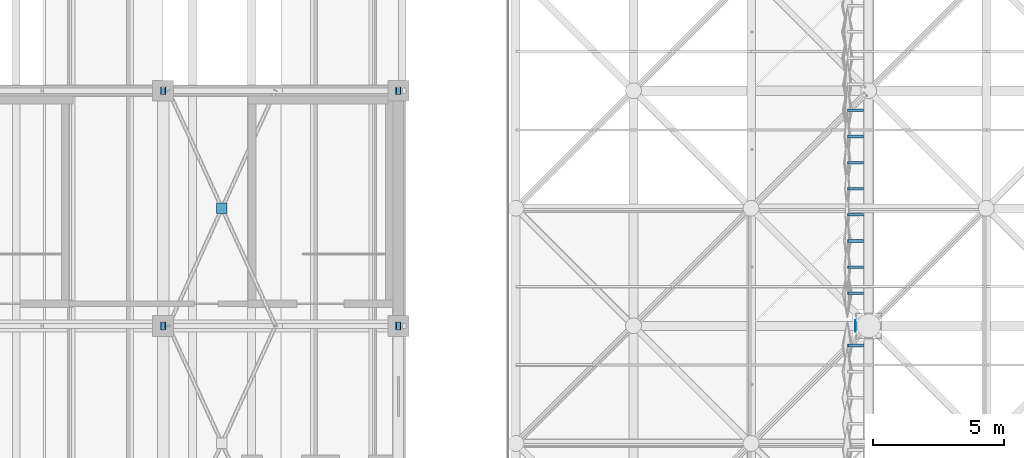
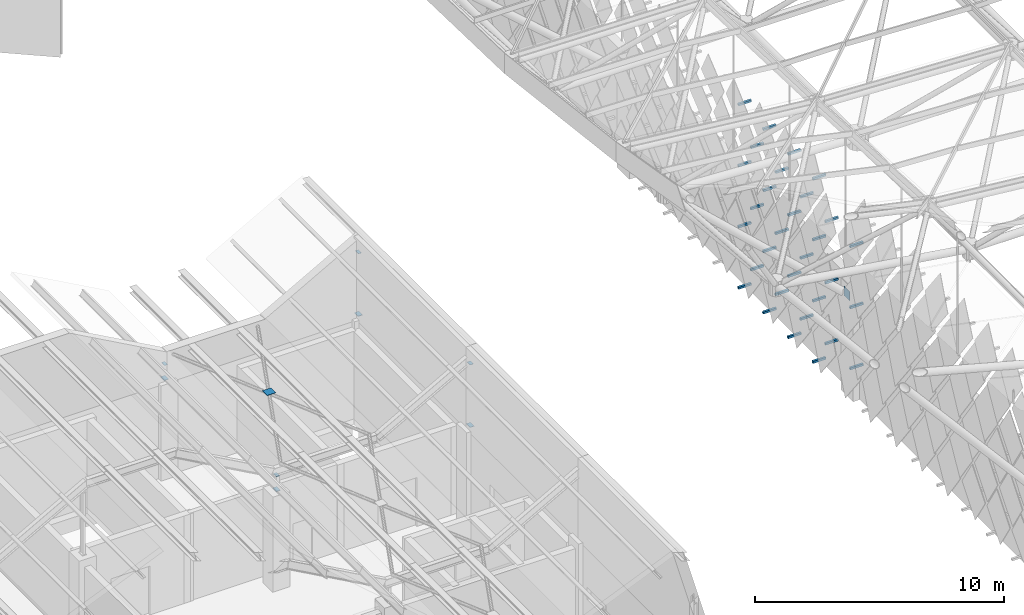
# One storey, part 358 of 437: 41 discrete accessories.
"""IFC4 building model written with IfcOpenShell, lengths in metres."""

from ifc_helpers import new_model, si_unit, direction, frame, origin, origin_2d, place, context, subcontext, project, spatial, polyline, rectangle, outline, extrude, material, layer, layer_set, type_object, element, save


model = new_model("IFC4")

# Units and contexts
model_context = context("Model", 3, precision=1e-05, world=origin(), true_north=direction((0.0, 1.0)))
body_context = subcontext(model_context, "Body", "Model", "MODEL_VIEW")
ifc_project = project(units=[si_unit("LENGTHUNIT", "METRE"), si_unit("AREAUNIT", "SQUARE_METRE"), si_unit("VOLUMEUNIT", "CUBIC_METRE"), si_unit("PLANEANGLEUNIT", "RADIAN"), si_unit("MASSUNIT", "GRAM", prefix="KILO")], contexts=[model_context])

# Site, building, storey
site_placement = place(None, origin())
site = spatial("IfcSite", under=ifc_project, at=site_placement, CompositionType="ELEMENT")
building_placement = place(site_placement, origin())
building = spatial("IfcBuilding", under=site, at=building_placement, Name="Opaline Strait Convention Centre", CompositionType="ELEMENT")
storey_placement = place(building_placement, frame((0.0, 0.0, 11.5)))
storey = spatial("IfcBuildingStorey", under=building, at=storey_placement, Name="L02", CompositionType="ELEMENT", Elevation=11.5)

# Discrete accessories
ifc_material_1 = material(Name="Structural steel Q355B", Category="steel")
ifc_layer_1 = layer(ifc_material_1, 0.01611328125)
ifc_layer_set_1 = layer_set([ifc_layer_1], Name="Structural steel Q355B")
discrete_accessory_type_1 = type_object("IfcDiscreteAccessoryType", Name="Prop bearing plate 450 x 450 x 16", PredefinedType="ANCHORPLATE", material=ifc_layer_set_1)
discrete_accessory_1_placement = place(storey_placement, frame((0.0, 0.0, 4.7900390625)))
element("IfcDiscreteAccessory", 1, at=discrete_accessory_1_placement, inside=storey, type_object=discrete_accessory_type_1, Name="Prop bearing plate 99/90 W", PredefinedType="ANCHORPLATE", context=body_context, shape_type="SweptSolid", body=[
    extrude(outline(polyline([(98.48388671875, 89.77490234375), (98.5, 89.77490234375), (98.5, 90.22509765625), (98.48388671875, 90.22509765625), (98.48388671875, 89.77490234375)])), origin(), (0.0, 0.0, 1.0), 0.449951171875),
])
ifc_material_2 = material(Name="Steel Q355B", Category="steel")
ifc_layer_2 = layer(ifc_material_2, 0.02001953125)
ifc_layer_set_2 = layer_set([ifc_layer_2], Name="Steel Q355B")
discrete_accessory_type_2 = type_object("IfcDiscreteAccessoryType", Name="Roof post base plate 300 x 200 x 20", PredefinedType="ANCHORPLATE", material=ifc_layer_set_2)
for number, where, z_axis, x_axis, name in (
    (2, (72.0, 90.0, 4.669921875), (0.0, 0.0, 1.0), (1.0, 0.0, 0.0), "Roof post base plate at 72/90"),
    (3, (81.0, 90.0, 4.669921875), (0.0, 0.0, 1.0), (1.0, 0.0, 0.0), "Roof post base plate at 81/90"),
    (4, (72.0, 99.0, 4.669921875), (0.0, 0.0, 1.0), (1.0, 0.0, 0.0), "Roof post base plate at 72/99"),
    (5, (81.0, 99.0, 4.669921875), (0.0, 0.0, 1.0), (1.0, 0.0, 0.0), "Roof post base plate at 81/99"),
):
    element("IfcDiscreteAccessory", number, at=place(storey_placement, frame(where, z_axis=z_axis, x_axis=x_axis)), inside=storey, type_object=discrete_accessory_type_2, Name=name, PredefinedType="ANCHORPLATE", context=body_context, shape_type="SweptSolid", body=[
        extrude(rectangle(XDim=0.199951171875, YDim=0.300048828125, at=origin_2d()), origin(), (0.0, 0.0, 1.0), 0.02001953125),
    ])
ifc_layer_3 = layer(ifc_material_2, 0.014892578125)
ifc_layer_set_3 = layer_set([ifc_layer_3], Name="Steel Q355B")
discrete_accessory_type_3 = type_object("IfcDiscreteAccessoryType", Name="Roof post cap plate 250 x 150 x 15", PredefinedType="ANCHORPLATE", material=ifc_layer_set_3)
for number, where, z_axis, x_axis, name in (
    (6, (72.0, 90.0, 5.38525390625), (0.0, 0.0, 1.0), (1.0, 0.0, 0.0), "Roof post cap plate at 72/90"),
    (7, (81.0, 90.0, 7.72119140625), (0.0, 0.0, 1.0), (1.0, 0.0, 0.0), "Roof post cap plate at 81/90"),
    (8, (72.0, 99.0, 5.38525390625), (0.0, 0.0, 1.0), (1.0, 0.0, 0.0), "Roof post cap plate at 72/99"),
    (9, (81.0, 99.0, 7.72119140625), (0.0, 0.0, 1.0), (1.0, 0.0, 0.0), "Roof post cap plate at 81/99"),
):
    element("IfcDiscreteAccessory", number, at=place(storey_placement, frame(where, z_axis=z_axis, x_axis=x_axis)), inside=storey, type_object=discrete_accessory_type_3, Name=name, PredefinedType="ANCHORPLATE", context=body_context, shape_type="SweptSolid", body=[
        extrude(rectangle(XDim=0.14990234375, YDim=0.25, at=origin_2d()), origin(), (0.0, 0.0, 1.0), 0.014892578125),
    ])
discrete_accessory_type_4 = type_object("IfcDiscreteAccessoryType", Name="Tile bracket 100x100 steel", PredefinedType="BRACKET", material=ifc_material_2)
discrete_accessory_2_placement = place(storey_placement, frame((98.800048828125, 98.300048828125, 0.39208984375), z_axis=(0.0, -1.0, 0.0), x_axis=(1.0, 0.0, 0.0)))
element("IfcDiscreteAccessory", 10, at=discrete_accessory_2_placement, inside=storey, type_object=discrete_accessory_type_4, Name="Tile bracket XT06 W", PredefinedType="BRACKET", context=body_context, shape_type="SweptSolid", body=[
    extrude(outline(polyline([(0.0, -0.050048828125), (0.0, 0.050048828125), (-0.597412109375, 0.050048828125), (-0.6025390625, -0.050048828125), (0.0, -0.050048828125)])), origin(), (0.0, 0.0, 1.0), 0.10009765625),
])
discrete_accessory_3_placement = place(storey_placement, frame((98.800048828125, 96.300048828125, 0.39208984375), z_axis=(0.0, -1.0, 0.0), x_axis=(1.0, 0.0, 0.0)))
element("IfcDiscreteAccessory", 11, at=discrete_accessory_3_placement, inside=storey, type_object=discrete_accessory_type_4, Name="Tile bracket XT08 W", PredefinedType="BRACKET", context=body_context, shape_type="SweptSolid", body=[
    extrude(outline(polyline([(0.0, -0.050048828125), (0.0, 0.050048828125), (-0.596435546875, 0.050048828125), (-0.603515625, -0.050048828125), (0.0, -0.050048828125)])), origin(), (0.0, 0.0, 1.0), 0.10009765625),
])
discrete_accessory_4_placement = place(storey_placement, frame((98.800048828125, 94.300048828125, 0.39208984375), z_axis=(0.0, -1.0, 0.0), x_axis=(1.0, 0.0, 0.0)))
element("IfcDiscreteAccessory", 12, at=discrete_accessory_4_placement, inside=storey, type_object=discrete_accessory_type_4, Name="Tile bracket XT13 W", PredefinedType="BRACKET", context=body_context, shape_type="SweptSolid", body=[
    extrude(outline(polyline([(0.0, -0.050048828125), (0.0, 0.050048828125), (-0.59423828125, 0.050048828125), (-0.605712890625, -0.050048828125), (0.0, -0.050048828125)])), origin(), (0.0, 0.0, 1.0), 0.10009765625),
])
discrete_accessory_5_placement = place(storey_placement, frame((98.800048828125, 92.300048828125, 0.39208984375), z_axis=(0.0, -1.0, 0.0), x_axis=(1.0, 0.0, 0.0)))
element("IfcDiscreteAccessory", 13, at=discrete_accessory_5_placement, inside=storey, type_object=discrete_accessory_type_4, Name="Tile bracket XT15 W", PredefinedType="BRACKET", context=body_context, shape_type="SweptSolid", body=[
    extrude(outline(polyline([(0.0, -0.050048828125), (0.0, 0.050048828125), (-0.593505859375, 0.050048828125), (-0.606689453125, -0.050048828125), (0.0, -0.050048828125)])), origin(), (0.0, 0.0, 1.0), 0.10009765625),
])
discrete_accessory_6_placement = place(storey_placement, frame((98.800048828125, 97.300048828125, 1.89208984375), z_axis=(0.0, -1.0, 0.0), x_axis=(1.0, 0.0, 0.0)))
element("IfcDiscreteAccessory", 14, at=discrete_accessory_6_placement, inside=storey, type_object=discrete_accessory_type_4, Name="Tile bracket XT06 W", PredefinedType="BRACKET", context=body_context, shape_type="SweptSolid", body=[
    extrude(outline(polyline([(0.0, -0.050048828125), (0.0, 0.050048828125), (-0.597412109375, 0.050048828125), (-0.6025390625, -0.050048828125), (0.0, -0.050048828125)])), origin(), (0.0, 0.0, 1.0), 0.10009765625),
])
discrete_accessory_7_placement = place(storey_placement, frame((98.800048828125, 95.300048828125, 1.89208984375), z_axis=(0.0, -1.0, 0.0), x_axis=(1.0, 0.0, 0.0)))
element("IfcDiscreteAccessory", 15, at=discrete_accessory_7_placement, inside=storey, type_object=discrete_accessory_type_4, Name="Tile bracket XT08 W", PredefinedType="BRACKET", context=body_context, shape_type="SweptSolid", body=[
    extrude(outline(polyline([(0.0, -0.050048828125), (0.0, 0.050048828125), (-0.596435546875, 0.050048828125), (-0.603515625, -0.050048828125), (0.0, -0.050048828125)])), origin(), (0.0, 0.0, 1.0), 0.10009765625),
])
discrete_accessory_8_placement = place(storey_placement, frame((98.800048828125, 93.300048828125, 1.89208984375), z_axis=(0.0, -1.0, 0.0), x_axis=(1.0, 0.0, 0.0)))
element("IfcDiscreteAccessory", 16, at=discrete_accessory_8_placement, inside=storey, type_object=discrete_accessory_type_4, Name="Tile bracket XT12 W", PredefinedType="BRACKET", context=body_context, shape_type="SweptSolid", body=[
    extrude(outline(polyline([(0.0, -0.050048828125), (0.0, 0.050048828125), (-0.5947265625, 0.050048828125), (-0.605224609375, -0.050048828125), (0.0, -0.050048828125)])), origin(), (0.0, 0.0, 1.0), 0.10009765625),
])
discrete_accessory_9_placement = place(storey_placement, frame((98.800048828125, 91.300048828125, 1.89208984375), z_axis=(0.0, -1.0, 0.0), x_axis=(1.0, 0.0, 0.0)))
element("IfcDiscreteAccessory", 17, at=discrete_accessory_9_placement, inside=storey, type_object=discrete_accessory_type_4, Name="Tile bracket XT15 W", PredefinedType="BRACKET", context=body_context, shape_type="SweptSolid", body=[
    extrude(outline(polyline([(0.0, -0.050048828125), (0.0, 0.050048828125), (-0.593505859375, 0.050048828125), (-0.606689453125, -0.050048828125), (0.0, -0.050048828125)])), origin(), (0.0, 0.0, 1.0), 0.10009765625),
])
discrete_accessory_10_placement = place(storey_placement, frame((98.800048828125, 89.300048828125, 1.89208984375), z_axis=(0.0, -1.0, 0.0), x_axis=(1.0, 0.0, 0.0)))
element("IfcDiscreteAccessory", 18, at=discrete_accessory_10_placement, inside=storey, type_object=discrete_accessory_type_4, Name="Tile bracket XT16 W", PredefinedType="BRACKET", context=body_context, shape_type="SweptSolid", body=[
    extrude(outline(polyline([(0.0, -0.050048828125), (0.0, 0.050048828125), (-0.593017578125, 0.050048828125), (-0.60693359375, -0.050048828125), (0.0, -0.050048828125)])), origin(), (0.0, 0.0, 1.0), 0.10009765625),
])
discrete_accessory_11_placement = place(storey_placement, frame((98.800048828125, 98.300048828125, 3.39208984375), z_axis=(0.0, -1.0, 0.0), x_axis=(1.0, 0.0, 0.0)))
element("IfcDiscreteAccessory", 19, at=discrete_accessory_11_placement, inside=storey, type_object=discrete_accessory_type_4, Name="Tile bracket XT06 W", PredefinedType="BRACKET", context=body_context, shape_type="SweptSolid", body=[
    extrude(outline(polyline([(0.0, -0.050048828125), (0.0, 0.050048828125), (-0.6025390625, 0.050048828125), (-0.597412109375, -0.050048828125), (0.0, -0.050048828125)])), origin(), (0.0, 0.0, 1.0), 0.10009765625),
])
discrete_accessory_12_placement = place(storey_placement, frame((98.800048828125, 96.300048828125, 3.39208984375), z_axis=(0.0, -1.0, 0.0), x_axis=(1.0, 0.0, 0.0)))
element("IfcDiscreteAccessory", 20, at=discrete_accessory_12_placement, inside=storey, type_object=discrete_accessory_type_4, Name="Tile bracket XT06 W", PredefinedType="BRACKET", context=body_context, shape_type="SweptSolid", body=[
    extrude(outline(polyline([(0.0, -0.050048828125), (0.0, 0.050048828125), (-0.597412109375, 0.050048828125), (-0.6025390625, -0.050048828125), (0.0, -0.050048828125)])), origin(), (0.0, 0.0, 1.0), 0.10009765625),
])
discrete_accessory_13_placement = place(storey_placement, frame((98.800048828125, 94.300048828125, 3.39208984375), z_axis=(0.0, -1.0, 0.0), x_axis=(1.0, 0.0, 0.0)))
element("IfcDiscreteAccessory", 21, at=discrete_accessory_13_placement, inside=storey, type_object=discrete_accessory_type_4, Name="Tile bracket XT07 W", PredefinedType="BRACKET", context=body_context, shape_type="SweptSolid", body=[
    extrude(outline(polyline([(0.0, -0.050048828125), (0.0, 0.050048828125), (-0.596923828125, 0.050048828125), (-0.60302734375, -0.050048828125), (0.0, -0.050048828125)])), origin(), (0.0, 0.0, 1.0), 0.10009765625),
])
discrete_accessory_14_placement = place(storey_placement, frame((98.800048828125, 92.300048828125, 3.39208984375), z_axis=(0.0, -1.0, 0.0), x_axis=(1.0, 0.0, 0.0)))
element("IfcDiscreteAccessory", 22, at=discrete_accessory_14_placement, inside=storey, type_object=discrete_accessory_type_4, Name="Tile bracket XT11 W", PredefinedType="BRACKET", context=body_context, shape_type="SweptSolid", body=[
    extrude(outline(polyline([(0.0, -0.050048828125), (0.0, 0.050048828125), (-0.59521484375, 0.050048828125), (-0.604736328125, -0.050048828125), (0.0, -0.050048828125)])), origin(), (0.0, 0.0, 1.0), 0.10009765625),
])
discrete_accessory_15_placement = place(storey_placement, frame((98.800048828125, 97.300048828125, 4.89208984375), z_axis=(0.0, -1.0, 0.0), x_axis=(1.0, 0.0, 0.0)))
element("IfcDiscreteAccessory", 23, at=discrete_accessory_15_placement, inside=storey, type_object=discrete_accessory_type_4, Name="Tile bracket XT06 W", PredefinedType="BRACKET", context=body_context, shape_type="SweptSolid", body=[
    extrude(outline(polyline([(0.0, -0.050048828125), (0.0, 0.050048828125), (-0.6025390625, 0.050048828125), (-0.597412109375, -0.050048828125), (0.0, -0.050048828125)])), origin(), (0.0, 0.0, 1.0), 0.10009765625),
])
discrete_accessory_16_placement = place(storey_placement, frame((98.800048828125, 95.300048828125, 4.89208984375), z_axis=(0.0, -1.0, 0.0), x_axis=(1.0, 0.0, 0.0)))
element("IfcDiscreteAccessory", 24, at=discrete_accessory_16_placement, inside=storey, type_object=discrete_accessory_type_4, Name="Tile bracket XT06 W", PredefinedType="BRACKET", context=body_context, shape_type="SweptSolid", body=[
    extrude(outline(polyline([(0.0, -0.050048828125), (0.0, 0.050048828125), (-0.597412109375, 0.050048828125), (-0.6025390625, -0.050048828125), (0.0, -0.050048828125)])), origin(), (0.0, 0.0, 1.0), 0.10009765625),
])
discrete_accessory_17_placement = place(storey_placement, frame((98.800048828125, 93.300048828125, 4.89208984375), z_axis=(0.0, -1.0, 0.0), x_axis=(1.0, 0.0, 0.0)))
element("IfcDiscreteAccessory", 25, at=discrete_accessory_17_placement, inside=storey, type_object=discrete_accessory_type_4, Name="Tile bracket XT07 W", PredefinedType="BRACKET", context=body_context, shape_type="SweptSolid", body=[
    extrude(outline(polyline([(0.0, -0.050048828125), (0.0, 0.050048828125), (-0.596923828125, 0.050048828125), (-0.60302734375, -0.050048828125), (0.0, -0.050048828125)])), origin(), (0.0, 0.0, 1.0), 0.10009765625),
])
discrete_accessory_18_placement = place(storey_placement, frame((98.800048828125, 91.300048828125, 4.89208984375), z_axis=(0.0, -1.0, 0.0), x_axis=(1.0, 0.0, 0.0)))
element("IfcDiscreteAccessory", 26, at=discrete_accessory_18_placement, inside=storey, type_object=discrete_accessory_type_4, Name="Tile bracket XT11 W", PredefinedType="BRACKET", context=body_context, shape_type="SweptSolid", body=[
    extrude(outline(polyline([(0.0, -0.050048828125), (0.0, 0.050048828125), (-0.59521484375, 0.050048828125), (-0.604736328125, -0.050048828125), (0.0, -0.050048828125)])), origin(), (0.0, 0.0, 1.0), 0.10009765625),
])
discrete_accessory_19_placement = place(storey_placement, frame((98.800048828125, 89.300048828125, 4.89208984375), z_axis=(0.0, -1.0, 0.0), x_axis=(1.0, 0.0, 0.0)))
element("IfcDiscreteAccessory", 27, at=discrete_accessory_19_placement, inside=storey, type_object=discrete_accessory_type_4, Name="Tile bracket XT14 W", PredefinedType="BRACKET", context=body_context, shape_type="SweptSolid", body=[
    extrude(outline(polyline([(0.0, -0.050048828125), (0.0, 0.050048828125), (-0.59375, 0.050048828125), (-0.606201171875, -0.050048828125), (0.0, -0.050048828125)])), origin(), (0.0, 0.0, 1.0), 0.10009765625),
])
discrete_accessory_20_placement = place(storey_placement, frame((98.800048828125, 98.300048828125, 6.39208984375), z_axis=(0.0, -1.0, 0.0), x_axis=(1.0, 0.0, 0.0)))
element("IfcDiscreteAccessory", 28, at=discrete_accessory_20_placement, inside=storey, type_object=discrete_accessory_type_4, Name="Tile bracket XT10 W", PredefinedType="BRACKET", context=body_context, shape_type="SweptSolid", body=[
    extrude(outline(polyline([(0.0, -0.050048828125), (0.0, 0.050048828125), (-0.604248046875, 0.050048828125), (-0.595703125, -0.050048828125), (0.0, -0.050048828125)])), origin(), (0.0, 0.0, 1.0), 0.10009765625),
])
discrete_accessory_21_placement = place(storey_placement, frame((98.800048828125, 96.300048828125, 6.39208984375), z_axis=(0.0, -1.0, 0.0), x_axis=(1.0, 0.0, 0.0)))
element("IfcDiscreteAccessory", 29, at=discrete_accessory_21_placement, inside=storey, type_object=discrete_accessory_type_4, Name="Tile bracket XT06 W", PredefinedType="BRACKET", context=body_context, shape_type="SweptSolid", body=[
    extrude(outline(polyline([(0.0, -0.050048828125), (0.0, 0.050048828125), (-0.6025390625, 0.050048828125), (-0.597412109375, -0.050048828125), (0.0, -0.050048828125)])), origin(), (0.0, 0.0, 1.0), 0.10009765625),
])
for number, where, z_axis, x_axis, name in (
    (30, (98.800048828125, 94.300048828125, 6.39208984375), (0.0, -1.0, 0.0), (1.0, 0.0, 0.0), "Tile bracket XT06 W"),
    (31, (98.800048828125, 92.300048828125, 6.39208984375), (0.0, -1.0, 0.0), (1.0, 0.0, 0.0), "Tile bracket XT06 W"),
):
    element("IfcDiscreteAccessory", number, at=place(storey_placement, frame(where, z_axis=z_axis, x_axis=x_axis)), inside=storey, type_object=discrete_accessory_type_4, Name=name, PredefinedType="BRACKET", context=body_context, shape_type="SweptSolid", body=[
        extrude(outline(polyline([(0.0, -0.050048828125), (0.0, 0.050048828125), (-0.597412109375, 0.050048828125), (-0.6025390625, -0.050048828125), (0.0, -0.050048828125)])), origin(), (0.0, 0.0, 1.0), 0.10009765625),
    ])
discrete_accessory_22_placement = place(storey_placement, frame((98.800048828125, 97.300048828125, 7.89208984375), z_axis=(0.0, -1.0, 0.0), x_axis=(1.0, 0.0, 0.0)))
element("IfcDiscreteAccessory", 32, at=discrete_accessory_22_placement, inside=storey, type_object=discrete_accessory_type_4, Name="Tile bracket XT10 W", PredefinedType="BRACKET", context=body_context, shape_type="SweptSolid", body=[
    extrude(outline(polyline([(0.0, -0.050048828125), (0.0, 0.050048828125), (-0.604248046875, 0.050048828125), (-0.595703125, -0.050048828125), (0.0, -0.050048828125)])), origin(), (0.0, 0.0, 1.0), 0.10009765625),
])
discrete_accessory_23_placement = place(storey_placement, frame((98.800048828125, 95.300048828125, 7.89208984375), z_axis=(0.0, -1.0, 0.0), x_axis=(1.0, 0.0, 0.0)))
element("IfcDiscreteAccessory", 33, at=discrete_accessory_23_placement, inside=storey, type_object=discrete_accessory_type_4, Name="Tile bracket XT06 W", PredefinedType="BRACKET", context=body_context, shape_type="SweptSolid", body=[
    extrude(outline(polyline([(0.0, -0.050048828125), (0.0, 0.050048828125), (-0.6025390625, 0.050048828125), (-0.597412109375, -0.050048828125), (0.0, -0.050048828125)])), origin(), (0.0, 0.0, 1.0), 0.10009765625),
])
for number, where, z_axis, x_axis, name in (
    (34, (98.800048828125, 93.300048828125, 7.89208984375), (0.0, -1.0, 0.0), (1.0, 0.0, 0.0), "Tile bracket XT06 W"),
    (35, (98.800048828125, 91.300048828125, 7.89208984375), (0.0, -1.0, 0.0), (1.0, 0.0, 0.0), "Tile bracket XT06 W"),
):
    element("IfcDiscreteAccessory", number, at=place(storey_placement, frame(where, z_axis=z_axis, x_axis=x_axis)), inside=storey, type_object=discrete_accessory_type_4, Name=name, PredefinedType="BRACKET", context=body_context, shape_type="SweptSolid", body=[
        extrude(outline(polyline([(0.0, -0.050048828125), (0.0, 0.050048828125), (-0.597412109375, 0.050048828125), (-0.6025390625, -0.050048828125), (0.0, -0.050048828125)])), origin(), (0.0, 0.0, 1.0), 0.10009765625),
    ])
discrete_accessory_24_placement = place(storey_placement, frame((98.800048828125, 89.300048828125, 7.89208984375), z_axis=(0.0, -1.0, 0.0), x_axis=(1.0, 0.0, 0.0)))
element("IfcDiscreteAccessory", 36, at=discrete_accessory_24_placement, inside=storey, type_object=discrete_accessory_type_4, Name="Tile bracket XT11 W", PredefinedType="BRACKET", context=body_context, shape_type="SweptSolid", body=[
    extrude(outline(polyline([(0.0, -0.050048828125), (0.0, 0.050048828125), (-0.59521484375, 0.050048828125), (-0.604736328125, -0.050048828125), (0.0, -0.050048828125)])), origin(), (0.0, 0.0, 1.0), 0.10009765625),
])
discrete_accessory_25_placement = place(storey_placement, frame((98.800048828125, 98.300048828125, 9.39208984375), z_axis=(0.0, -1.0, 0.0), x_axis=(1.0, 0.0, 0.0)))
element("IfcDiscreteAccessory", 37, at=discrete_accessory_25_placement, inside=storey, type_object=discrete_accessory_type_4, Name="Tile bracket XT15 W", PredefinedType="BRACKET", context=body_context, shape_type="SweptSolid", body=[
    extrude(outline(polyline([(0.0, -0.050048828125), (0.0, 0.050048828125), (-0.606689453125, 0.050048828125), (-0.593505859375, -0.050048828125), (0.0, -0.050048828125)])), origin(), (0.0, 0.0, 1.0), 0.10009765625),
])
discrete_accessory_26_placement = place(storey_placement, frame((98.800048828125, 96.300048828125, 9.39208984375), z_axis=(0.0, -1.0, 0.0), x_axis=(1.0, 0.0, 0.0)))
element("IfcDiscreteAccessory", 38, at=discrete_accessory_26_placement, inside=storey, type_object=discrete_accessory_type_4, Name="Tile bracket XT11 W", PredefinedType="BRACKET", context=body_context, shape_type="SweptSolid", body=[
    extrude(outline(polyline([(0.0, -0.050048828125), (0.0, 0.050048828125), (-0.604736328125, 0.050048828125), (-0.59521484375, -0.050048828125), (0.0, -0.050048828125)])), origin(), (0.0, 0.0, 1.0), 0.10009765625),
])
discrete_accessory_27_placement = place(storey_placement, frame((98.800048828125, 94.300048828125, 9.39208984375), z_axis=(0.0, -1.0, 0.0), x_axis=(1.0, 0.0, 0.0)))
element("IfcDiscreteAccessory", 39, at=discrete_accessory_27_placement, inside=storey, type_object=discrete_accessory_type_4, Name="Tile bracket XT06 W", PredefinedType="BRACKET", context=body_context, shape_type="SweptSolid", body=[
    extrude(outline(polyline([(0.0, -0.050048828125), (0.0, 0.050048828125), (-0.6025390625, 0.050048828125), (-0.597412109375, -0.050048828125), (0.0, -0.050048828125)])), origin(), (0.0, 0.0, 1.0), 0.10009765625),
])
discrete_accessory_28_placement = place(storey_placement, frame((98.800048828125, 92.300048828125, 9.39208984375), z_axis=(0.0, -1.0, 0.0), x_axis=(1.0, 0.0, 0.0)))
element("IfcDiscreteAccessory", 40, at=discrete_accessory_28_placement, inside=storey, type_object=discrete_accessory_type_4, Name="Tile bracket XT06 W", PredefinedType="BRACKET", context=body_context, shape_type="SweptSolid", body=[
    extrude(outline(polyline([(0.0, -0.050048828125), (0.0, 0.050048828125), (-0.597412109375, 0.050048828125), (-0.6025390625, -0.050048828125), (0.0, -0.050048828125)])), origin(), (0.0, 0.0, 1.0), 0.10009765625),
])
ifc_layer_4 = layer(ifc_material_2, 0.014892578125)
ifc_layer_set_4 = layer_set([ifc_layer_4], Name="Steel Q355B")
discrete_accessory_type_5 = type_object("IfcDiscreteAccessoryType", Name="X-brace gusset plate 400 x 400 x 15", PredefinedType="ANCHORPLATE", material=ifc_layer_set_4)
discrete_accessory_29_placement = place(storey_placement, frame((74.25, 94.5, 5.93994140625), z_axis=(0.0, 0.0, 1.0), x_axis=(1.0, 0.0, 0.0)))
element("IfcDiscreteAccessory", 41, at=discrete_accessory_29_placement, inside=storey, type_object=discrete_accessory_type_5, Name="X-brace gusset plate bay 10 at 72", PredefinedType="ANCHORPLATE", context=body_context, shape_type="SweptSolid", body=[
    extrude(rectangle(XDim=0.39990234375, YDim=0.39990234375, at=origin_2d()), origin(), (0.0, 0.0, 1.0), 0.014892578125),
])

save(model, "model.ifc")
